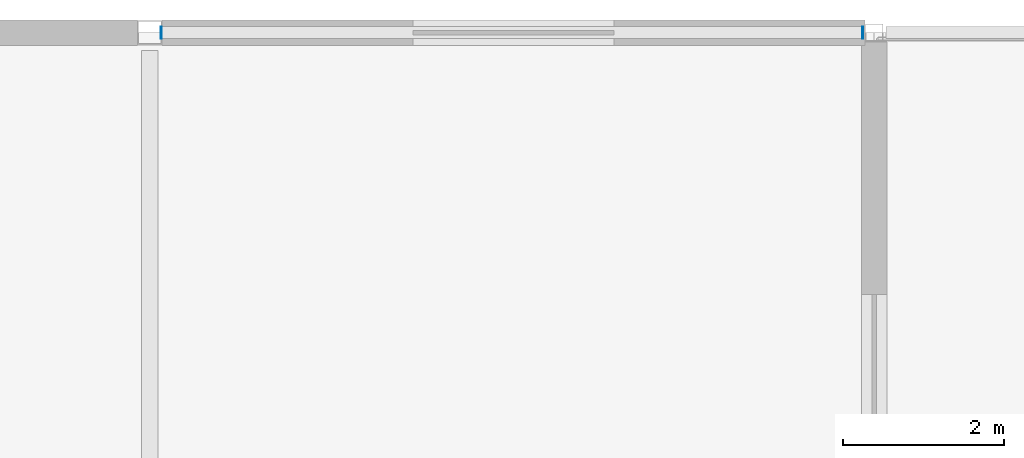
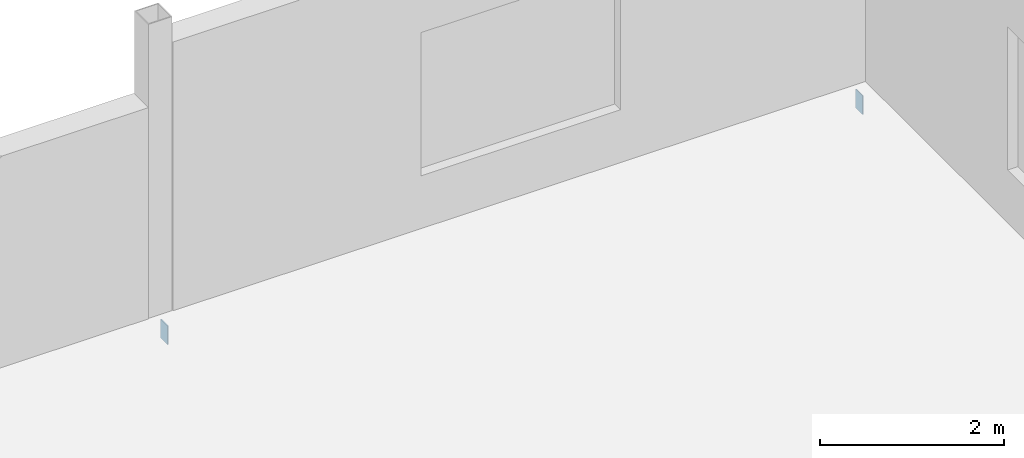
# One storey, part 38 of 55: 2 discrete accessories.
"""IFC4 building model written with IfcOpenShell, lengths in metres."""

import ifcopenshell
import ifcopenshell.guid

model = None  # the IFC model being written
_history = None  # IfcOwnerHistory: only IFC2X3 demands one
_inside = {}  # id of a spatial element -> (the spatial element, [elements in it])
_under = {}  # id of a project, library or spatial element -> (it, [spatial elements below it])
_declared = {}  # id of a project -> (the project, [libraries it declares])
_typed = {}  # id of a type object -> (the type object, [elements of that type])
_made_of = {}  # id of a material, layer set ... -> (it, [elements and type objects made of it])


def new_model(schema):
    """Start an empty IFC model of exactly this schema.

    Asked for "IFC4X3", IfcOpenShell would pick the latest addendum, in which some entities
    have other attributes; the version numbers below select the first issue.
    IFC2X3 requires an IfcOwnerHistory on every rooted entity: one is made here for all.
    """
    global model, _history
    if schema == "IFC4X3":
        model = ifcopenshell.file(schema_version=(4, 3, 0, 0))
    else:
        model = ifcopenshell.file(schema=schema)
    _inside.clear()
    _under.clear()
    _declared.clear()
    _typed.clear()
    _made_of.clear()
    _history = None
    if model.schema == "IFC2X3":
        org = make("IfcOrganization", Name="unknown")
        user = make(
            "IfcPersonAndOrganization",
            ThePerson=make("IfcPerson", FamilyName="unknown"),
            TheOrganization=org,
        )
        app = make(
            "IfcApplication",
            ApplicationDeveloper=org,
            Version="unknown",
            ApplicationFullName="unknown",
            ApplicationIdentifier="unknown",
        )
        _history = make(
            "IfcOwnerHistory",
            OwningUser=user,
            OwningApplication=app,
            ChangeAction="ADDED",
            CreationDate=0,
        )
    return model


def make(cls, **values):
    """One entity of the class cls with the attributes given. An attribute that is None is left unset."""
    return model.create_entity(
        cls, **{name: value for name, value in values.items() if value is not None}
    )


def rooted(cls, **values):
    """An entity with a GlobalId (a new one), such as an element, a storey or a relation."""
    return make(cls, GlobalId=ifcopenshell.guid.new(), OwnerHistory=_history, **values)


def si_unit(unit_type, name, prefix=None):
    """IfcSIUnit, for example si_unit("LENGTHUNIT", "METRE", prefix="MILLI")."""
    return make("IfcSIUnit", UnitType=unit_type, Prefix=prefix, Name=name)


def assignment(units):
    """IfcUnitAssignment: the units of a project."""
    return None if units is None else make("IfcUnitAssignment", Units=units)


def point(xyz):
    """IfcCartesianPoint."""
    return None if xyz is None else make("IfcCartesianPoint", Coordinates=xyz)


def direction(xyz):
    """IfcDirection."""
    return None if xyz is None else make("IfcDirection", DirectionRatios=xyz)


def frame(location, z_axis=None, x_axis=None):
    """IfcAxis2Placement3D, a coordinate frame: its origin and axes. An axis left out is left unset."""
    return make(
        "IfcAxis2Placement3D",
        Location=point(location),
        Axis=direction(z_axis),
        RefDirection=direction(x_axis),
    )


def origin():
    """The frame at (0, 0, 0) with its axes left unset."""
    return frame((0.0, 0.0, 0.0))


def place(relative_to, where):
    """IfcLocalPlacement: puts the frame where relative to a parent placement (None: the world)."""
    return make(
        "IfcLocalPlacement", PlacementRelTo=relative_to, RelativePlacement=where
    )


def context(
    kind, dimensions, precision=None, world=None, true_north=None, identifier=None
):
    """IfcGeometricRepresentationContext, for example the 3D "Model" context."""
    return make(
        "IfcGeometricRepresentationContext",
        ContextIdentifier=identifier,
        ContextType=kind,
        CoordinateSpaceDimension=dimensions,
        Precision=precision,
        WorldCoordinateSystem=world,
        TrueNorth=true_north,
    )


def subcontext(parent, identifier, kind, view, scale=None):
    """IfcGeometricRepresentationSubContext, for example "Body" below "Model"."""
    return make(
        "IfcGeometricRepresentationSubContext",
        ContextIdentifier=identifier,
        ContextType=kind,
        ParentContext=parent,
        TargetScale=scale,
        TargetView=view,
    )


def project(units=None, contexts=None):
    """IfcProject with its units and contexts."""
    return rooted(
        "IfcProject",
        Name="project",
        RepresentationContexts=contexts,
        UnitsInContext=assignment(units),
    )


def spatial(cls, under=None, at=None, **own):
    """A site, building, storey or space (cls), placed at a placement, below another one or the project."""
    s = rooted(cls, ObjectPlacement=at, **own)
    if under is not None:
        _under.setdefault(under.id(), (under, []))[1].append(s)
    return s


def polyline(points):
    """IfcPolyline through the points."""
    return make("IfcPolyline", Points=[point(p) for p in points])


def outline(outer, holes=None, kind="AREA"):
    """IfcArbitraryClosedProfileDef: a profile drawn as a closed curve; with holes, ...WithVoids."""
    if holes is None:
        return make("IfcArbitraryClosedProfileDef", ProfileType=kind, OuterCurve=outer)
    return make(
        "IfcArbitraryProfileDefWithVoids",
        ProfileType=kind,
        OuterCurve=outer,
        InnerCurves=holes,
    )


def extrude(swept, where, along, depth):
    """IfcExtrudedAreaSolid: the profile swept, set in the frame where, extruded along a direction by depth."""
    return make(
        "IfcExtrudedAreaSolid",
        SweptArea=swept,
        Position=where,
        ExtrudedDirection=direction(along),
        Depth=depth,
    )


def shape(context_of_items, identifier, shape_type, items):
    """IfcShapeRepresentation: the items that make up one representation, for example the "Body"."""
    return make(
        "IfcShapeRepresentation",
        ContextOfItems=context_of_items,
        RepresentationIdentifier=identifier,
        RepresentationType=shape_type,
        Items=items,
    )


def material(Name=None, Category=None):
    """IfcMaterial."""
    return make("IfcMaterial", Name=Name, Category=Category)


def layer(
    of_material, thickness, ventilated=None, Name=None, Category=None, Priority=None
):
    """IfcMaterialLayer: one layer of a wall or slab, of a material (None: an air gap)."""
    return make(
        "IfcMaterialLayer",
        Material=of_material,
        LayerThickness=thickness,
        IsVentilated=ventilated,
        Name=Name,
        Category=Category,
        Priority=Priority,
    )


def layer_set(layers, Name=None):
    """IfcMaterialLayerSet."""
    return make("IfcMaterialLayerSet", MaterialLayers=layers, LayerSetName=Name)


def made_of(thing, what):
    """Note that an element or type object is made of a material, layer set ...; save() writes the relation."""
    if what is not None:
        _made_of.setdefault(what.id(), (what, []))[1].append(thing)
    return thing


def type_object(cls, material=None, **own):
    """A type object (cls), such as IfcWallType, which elements share."""
    return made_of(rooted(cls, **own), material)


def element(
    cls,
    number,
    at=None,
    inside=None,
    cuts=None,
    type_object=None,
    material=None,
    context=None,
    identifier="Body",
    shape_type=None,
    held_by="IfcProductDefinitionShape",
    body=None,
    shapes=None,
    **own,
):
    """One element of the class cls, such as IfcWall. Its Tag is "e" and its number.

    at: its placement. inside: the storey or other place that contains it. cuts: it is an
    opening in that element (IfcRelVoidsElement). A single representation is given by context,
    identifier, shape_type and body (its items); several are given by shapes. held_by: the class
    of the entity that holds the representations. save() writes the other relations.
    """
    e = rooted(cls, Tag="e%d" % number, ObjectPlacement=at, **own)
    if body is not None:
        shapes = [shape(context, identifier, shape_type, body)]
    if shapes is not None:
        e.Representation = make(held_by, Representations=shapes)
    if inside is not None:
        _inside.setdefault(inside.id(), (inside, []))[1].append(e)
    if cuts is not None:
        rooted(
            "IfcRelVoidsElement", RelatingBuildingElement=cuts, RelatedOpeningElement=e
        )
    if type_object is not None:
        _typed.setdefault(type_object.id(), (type_object, []))[1].append(e)
    return made_of(e, material)


def aggregate(whole, parts):
    """IfcRelAggregates: a whole, such as a stair, and the parts it consists of."""
    return rooted("IfcRelAggregates", RelatingObject=whole, RelatedObjects=parts)


def save(model, path):
    """Write the relations noted so far, then the file.

    IfcRelAggregates (storeys below a building ...), IfcRelContainedInSpatialStructure (elements
    in a storey), IfcRelDefinesByType, IfcRelAssociatesMaterial and IfcRelDeclares: one each for
    every whole, place, type object, material and project.
    """
    for whole, parts in _under.values():
        aggregate(whole, parts)
    for where, things in _inside.values():
        rooted(
            "IfcRelContainedInSpatialStructure",
            RelatedElements=things,
            RelatingStructure=where,
        )
    for kind, things in _typed.values():
        rooted("IfcRelDefinesByType", RelatedObjects=things, RelatingType=kind)
    for what, things in _made_of.values():
        rooted("IfcRelAssociatesMaterial", RelatedObjects=things, RelatingMaterial=what)
    for by, libraries in _declared.values():
        rooted("IfcRelDeclares", RelatingContext=by, RelatedDefinitions=libraries)
    model.write(path)


model = new_model("IFC4")

# Units and contexts
model_context = context("Model", 3, precision=1e-05, world=origin(), true_north=direction((0.0, 1.0)))
body_context = subcontext(model_context, "Body", "Model", "MODEL_VIEW")
ifc_project = project(units=[si_unit("LENGTHUNIT", "METRE"), si_unit("AREAUNIT", "SQUARE_METRE"), si_unit("VOLUMEUNIT", "CUBIC_METRE"), si_unit("PLANEANGLEUNIT", "RADIAN"), si_unit("MASSUNIT", "GRAM", prefix="KILO")], contexts=[model_context])

# Site, building, storey
site_placement = place(None, origin())
site = spatial("IfcSite", under=ifc_project, at=site_placement, CompositionType="ELEMENT")
building_placement = place(site_placement, origin())
building = spatial("IfcBuilding", under=site, at=building_placement, Name="Kisiwana Market Hall", CompositionType="ELEMENT")
storey_placement = place(building_placement, frame((0.0, 0.0, 37.800048828125)))
storey = spatial("IfcBuildingStorey", under=building, at=storey_placement, Name="L08", CompositionType="ELEMENT", Elevation=37.800048828125)

# Discrete accessories
ifc_material = material(Name="Steel S355", Category="steel")
ifc_layer = layer(ifc_material, 0.011962890625)
ifc_layer_set = layer_set([ifc_layer], Name="ACC-ENDCAP-STL")
discrete_accessory_type = type_object("IfcDiscreteAccessoryType", Name="ACC-ENDCAP-STL", PredefinedType="USERDEFINED", material=ifc_layer_set)
discrete_accessory_1_placement = place(storey_placement, frame((0.0, 0.0, -0.4951171875)))
element("IfcDiscreteAccessory", 1, at=discrete_accessory_1_placement, inside=storey, type_object=discrete_accessory_type, Name="End cap plate EC-0111", ObjectType="End cap plate", PredefinedType="USERDEFINED", context=body_context, shape_type="SweptSolid", body=[
    extrude(outline(polyline([(35.85400390625, 110.925048828125), (35.865966796875, 110.925048828125), (35.865966796875, 111.074951171875), (35.85400390625, 111.074951171875), (35.85400390625, 110.925048828125)])), origin(), (0.0, 0.0, 1.0), 0.25),
])
discrete_accessory_2_placement = place(storey_placement, frame((0.0, 0.0, -0.4951171875)))
element("IfcDiscreteAccessory", 2, at=discrete_accessory_2_placement, inside=storey, type_object=discrete_accessory_type, Name="End cap plate EC-0112", ObjectType="End cap plate", PredefinedType="USERDEFINED", context=body_context, shape_type="SweptSolid", body=[
    extrude(outline(polyline([(27.14599609375, 110.925048828125), (27.14599609375, 111.074951171875), (27.134033203125, 111.074951171875), (27.134033203125, 110.925048828125), (27.14599609375, 110.925048828125)])), origin(), (0.0, 0.0, 1.0), 0.25),
])

save(model, "model.ifc")
